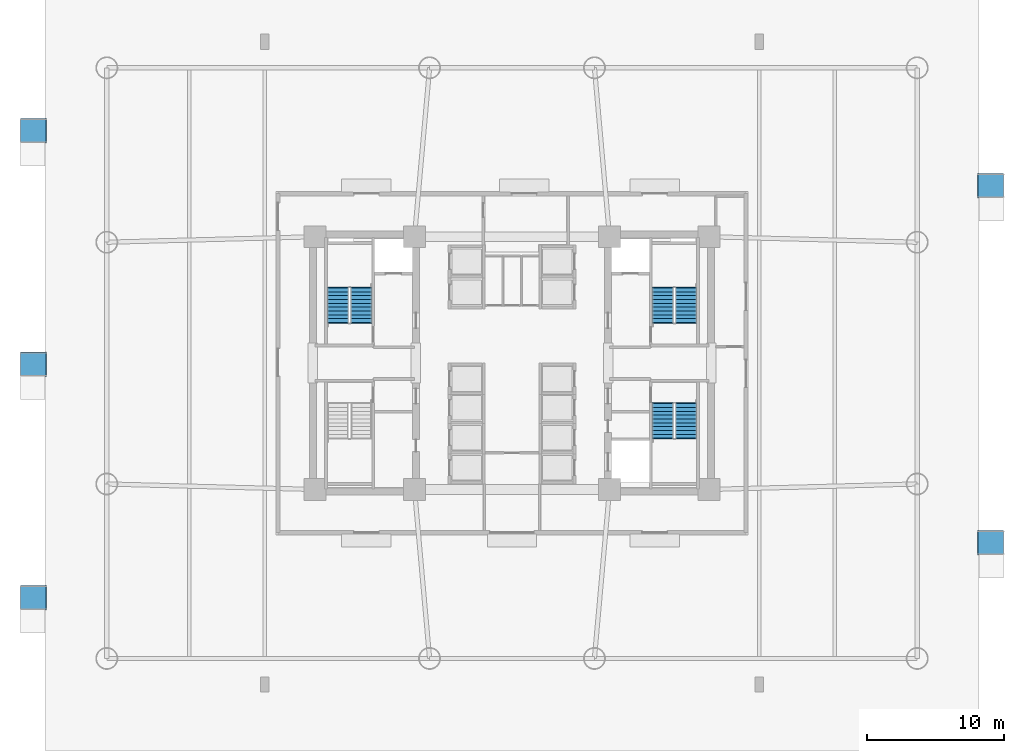
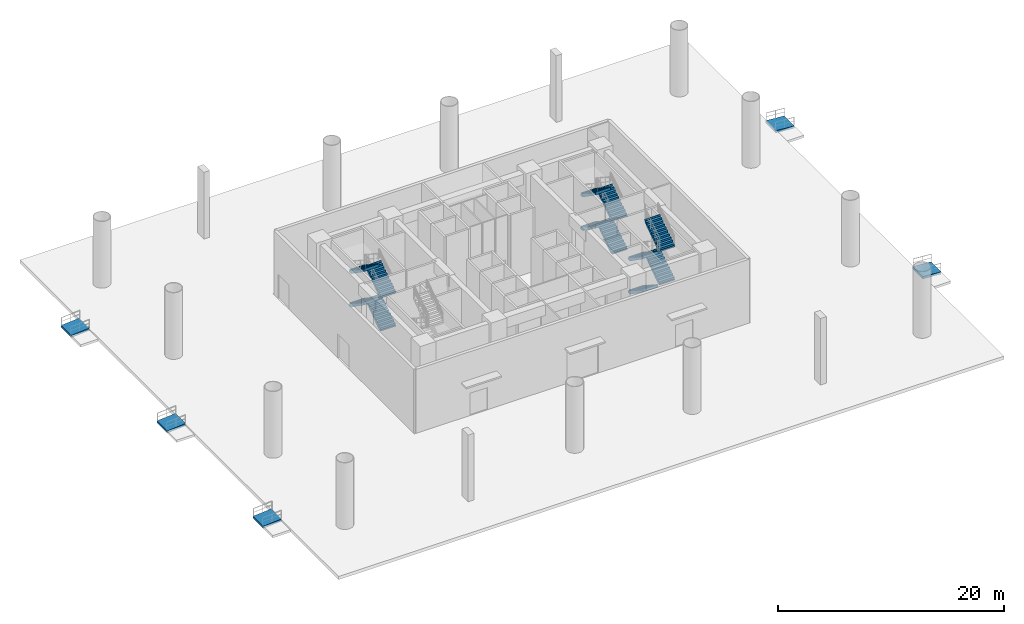
# One storey, part 6 of 10: 12 stair flights, 5 ramp flights, 8 elements without a shape of their own.
"""IFC4 building model written with IfcOpenShell, lengths in metres."""

from ifc_helpers import new_model, si_unit, direction, frame, origin, place, context, subcontext, project, spatial, polyline, outline, extrude, material, layer, layer_set, type_object, element, aggregate, save


model = new_model("IFC4")

# Units and contexts
model_context = context("Model", 3, precision=1e-05, world=origin(), true_north=direction((0.0, 1.0)))
body_context = subcontext(model_context, "Body", "Model", "MODEL_VIEW")
ifc_project = project(units=[si_unit("LENGTHUNIT", "METRE"), si_unit("AREAUNIT", "SQUARE_METRE"), si_unit("VOLUMEUNIT", "CUBIC_METRE"), si_unit("PLANEANGLEUNIT", "RADIAN"), si_unit("MASSUNIT", "GRAM", prefix="KILO")], contexts=[model_context])

# Site, building, storey
site_placement = place(None, origin())
site = spatial("IfcSite", under=ifc_project, at=site_placement, CompositionType="ELEMENT")
building_placement = place(site_placement, origin())
building = spatial("IfcBuilding", under=site, at=building_placement, Name="Zahravan Cultural Tower", CompositionType="ELEMENT")
storey_placement = place(building_placement, origin())
storey = spatial("IfcBuildingStorey", under=building, at=storey_placement, Name="L00", CompositionType="ELEMENT", Elevation=0.0)

# Stair, stair flights
ifc_material = material(Name="Concrete C45/55", Category="concrete")
stair_type = type_object("IfcStairType", Name="STR-DL-1550-720", PredefinedType="HALF_TURN_STAIR", material=ifc_material)
stair_1_placement = place(storey_placement, origin())
stair_1 = element("IfcStair", 1, at=stair_1_placement, inside=storey, type_object=stair_type, Name="L00 West Core North Exit Stair ST-W1", PredefinedType="HALF_TURN_STAIR")
stair_flight_type = type_object("IfcStairFlightType", Name="FLG-DL-1550-720", PredefinedType="STRAIGHT", material=ifc_material)
stair_flight_1_placement = place(storey_placement, frame((25.02490234375, 29.949951171875, 0.0), z_axis=(0.0, 0.0, 1.0), x_axis=(0.0, 1.0, 0.0)))
stair_flight_1 = element("IfcStairFlight", 2, at=stair_flight_1_placement, type_object=stair_flight_type, Name="ST-W1 flight 1", NumberOfRisers=10, NumberOfTreads=9, PredefinedType="STRAIGHT", RiserHeight=0.18, TreadLength=0.28, context=body_context, shape_type="SweptSolid", body=[
    extrude(outline(polyline([(-0.06494140625, -0.139892578125), (-0.06494140625, 0.0), (0.0, 0.0), (0.0, 0.179931640625), (0.280029296875, 0.179931640625), (0.280029296875, 0.360107421875), (0.56005859375, 0.360107421875), (0.56005859375, 0.5400390625), (0.840087890625, 0.5400390625), (0.840087890625, 0.719970703125), (1.1201171875, 0.719970703125), (1.1201171875, 0.89990234375), (1.39990234375, 0.89990234375), (1.39990234375, 1.080078125), (1.679931640625, 1.080078125), (1.679931640625, 1.260009765625), (1.9599609375, 1.260009765625), (1.9599609375, 1.43994140625), (2.239990234375, 1.43994140625), (2.239990234375, 1.6201171875), (2.52001953125, 1.6201171875), (2.52001953125, 1.800048828125), (2.5849609375, 1.800048828125), (2.5849609375, 1.650146484375), (2.52001953125, 1.44189453125), (0.277099609375, -0.139892578125), (-0.06494140625, -0.139892578125)])), frame((0.0, 0.77490234375, 0.0), z_axis=(0.0, -1.0, 0.0), x_axis=(1.0, 0.0, 0.0)), (0.0, 0.0, 1.0), 1.550048828125),
])
stair_flight_2_placement = place(storey_placement, frame((23.324951171875, 32.469970703125, 1.800048828125), z_axis=(0.0, 0.0, 1.0), x_axis=(0.0, -1.0, 0.0)))
stair_flight_2 = element("IfcStairFlight", 3, at=stair_flight_2_placement, type_object=stair_flight_type, Name="ST-W1 flight 2", NumberOfRisers=10, NumberOfTreads=9, PredefinedType="STRAIGHT", RiserHeight=0.18, TreadLength=0.28, context=body_context, shape_type="SweptSolid", body=[
    extrude(outline(polyline([(-0.06494140625, -0.139892578125), (-0.06494140625, 0.0), (0.0, 0.0), (0.0, 0.179931640625), (0.280029296875, 0.179931640625), (0.280029296875, 0.360107421875), (0.56005859375, 0.360107421875), (0.56005859375, 0.5400390625), (0.840087890625, 0.5400390625), (0.840087890625, 0.719970703125), (1.1201171875, 0.719970703125), (1.1201171875, 0.89990234375), (1.39990234375, 0.89990234375), (1.39990234375, 1.080078125), (1.679931640625, 1.080078125), (1.679931640625, 1.260009765625), (1.9599609375, 1.260009765625), (1.9599609375, 1.43994140625), (2.239990234375, 1.43994140625), (2.239990234375, 1.6201171875), (2.52001953125, 1.6201171875), (2.52001953125, 1.800048828125), (2.5849609375, 1.800048828125), (2.5849609375, 1.650146484375), (2.52001953125, 1.44189453125), (0.277099609375, -0.139892578125), (-0.06494140625, -0.139892578125)])), frame((0.0, 0.77490234375, 0.0), z_axis=(0.0, -1.0, 0.0), x_axis=(1.0, 0.0, 0.0)), (0.0, 0.0, 1.0), 1.550048828125),
])
stair_flight_3_placement = place(storey_placement, frame((25.02490234375, 29.949951171875, 3.60009765625), z_axis=(0.0, 0.0, 1.0), x_axis=(0.0, 1.0, 0.0)))
stair_flight_3 = element("IfcStairFlight", 4, at=stair_flight_3_placement, type_object=stair_flight_type, Name="ST-W1 flight 3", NumberOfRisers=10, NumberOfTreads=9, PredefinedType="STRAIGHT", RiserHeight=0.18, TreadLength=0.28, context=body_context, shape_type="SweptSolid", body=[
    extrude(outline(polyline([(-0.06494140625, -0.139892578125), (-0.06494140625, 0.0), (0.0, 0.0), (0.0, 0.179931640625), (0.280029296875, 0.179931640625), (0.280029296875, 0.360107421875), (0.56005859375, 0.360107421875), (0.56005859375, 0.5400390625), (0.840087890625, 0.5400390625), (0.840087890625, 0.719970703125), (1.1201171875, 0.719970703125), (1.1201171875, 0.89990234375), (1.39990234375, 0.89990234375), (1.39990234375, 1.080078125), (1.679931640625, 1.080078125), (1.679931640625, 1.260009765625), (1.9599609375, 1.260009765625), (1.9599609375, 1.43994140625), (2.239990234375, 1.43994140625), (2.239990234375, 1.6201171875), (2.52001953125, 1.6201171875), (2.52001953125, 1.800048828125), (2.5849609375, 1.800048828125), (2.5849609375, 1.650146484375), (2.52001953125, 1.44189453125), (0.277099609375, -0.139892578125), (-0.06494140625, -0.139892578125)])), frame((0.0, 0.77490234375, 0.0), z_axis=(0.0, -1.0, 0.0), x_axis=(1.0, 0.0, 0.0)), (0.0, 0.0, 1.0), 1.550048828125),
])
stair_flight_4_placement = place(storey_placement, frame((23.324951171875, 32.469970703125, 5.39990234375), z_axis=(0.0, 0.0, 1.0), x_axis=(0.0, -1.0, 0.0)))
stair_flight_4 = element("IfcStairFlight", 5, at=stair_flight_4_placement, type_object=stair_flight_type, Name="ST-W1 flight 4", NumberOfRisers=10, NumberOfTreads=9, PredefinedType="STRAIGHT", RiserHeight=0.18, TreadLength=0.28, context=body_context, shape_type="SweptSolid", body=[
    extrude(outline(polyline([(-0.06494140625, -0.139892578125), (-0.06494140625, 0.0), (0.0, 0.0), (0.0, 0.179931640625), (0.280029296875, 0.179931640625), (0.280029296875, 0.360107421875), (0.56005859375, 0.360107421875), (0.56005859375, 0.5400390625), (0.840087890625, 0.5400390625), (0.840087890625, 0.719970703125), (1.1201171875, 0.719970703125), (1.1201171875, 0.89990234375), (1.39990234375, 0.89990234375), (1.39990234375, 1.080078125), (1.679931640625, 1.080078125), (1.679931640625, 1.260009765625), (1.9599609375, 1.260009765625), (1.9599609375, 1.43994140625), (2.239990234375, 1.43994140625), (2.239990234375, 1.6201171875), (2.52001953125, 1.6201171875), (2.52001953125, 1.800048828125), (2.5849609375, 1.800048828125), (2.5849609375, 1.650146484375), (2.52001953125, 1.44189453125), (0.277099609375, -0.139892578125), (-0.06494140625, -0.139892578125)])), frame((0.0, 0.77490234375, 0.0), z_axis=(0.0, -1.0, 0.0), x_axis=(1.0, 0.0, 0.0)), (0.0, 0.0, 1.0), 1.550048828125),
])
aggregate(stair_1, [stair_flight_1, stair_flight_2, stair_flight_3, stair_flight_4])

stair_2_placement = place(storey_placement, origin())
stair_2 = element("IfcStair", 6, at=stair_2_placement, inside=storey, type_object=stair_type, Name="L00 East Core North Exit Stair ST-E1", PredefinedType="HALF_TURN_STAIR")
stair_flight_5_placement = place(storey_placement, frame((48.675048828125, 29.949951171875, 0.0), z_axis=(0.0, 0.0, 1.0), x_axis=(0.0, 1.0, 0.0)))
stair_flight_5 = element("IfcStairFlight", 7, at=stair_flight_5_placement, type_object=stair_flight_type, Name="ST-E1 flight 1", NumberOfRisers=10, NumberOfTreads=9, PredefinedType="STRAIGHT", RiserHeight=0.18, TreadLength=0.28, context=body_context, shape_type="SweptSolid", body=[
    extrude(outline(polyline([(-0.06494140625, -0.139892578125), (-0.06494140625, 0.0), (0.0, 0.0), (0.0, 0.179931640625), (0.280029296875, 0.179931640625), (0.280029296875, 0.360107421875), (0.56005859375, 0.360107421875), (0.56005859375, 0.5400390625), (0.840087890625, 0.5400390625), (0.840087890625, 0.719970703125), (1.1201171875, 0.719970703125), (1.1201171875, 0.89990234375), (1.39990234375, 0.89990234375), (1.39990234375, 1.080078125), (1.679931640625, 1.080078125), (1.679931640625, 1.260009765625), (1.9599609375, 1.260009765625), (1.9599609375, 1.43994140625), (2.239990234375, 1.43994140625), (2.239990234375, 1.6201171875), (2.52001953125, 1.6201171875), (2.52001953125, 1.800048828125), (2.5849609375, 1.800048828125), (2.5849609375, 1.650146484375), (2.52001953125, 1.44189453125), (0.277099609375, -0.139892578125), (-0.06494140625, -0.139892578125)])), frame((0.0, 0.77490234375, 0.0), z_axis=(0.0, -1.0, 0.0), x_axis=(1.0, 0.0, 0.0)), (0.0, 0.0, 1.0), 1.550048828125),
])
stair_flight_6_placement = place(storey_placement, frame((46.97509765625, 32.469970703125, 1.800048828125), z_axis=(0.0, 0.0, 1.0), x_axis=(0.0, -1.0, 0.0)))
stair_flight_6 = element("IfcStairFlight", 8, at=stair_flight_6_placement, type_object=stair_flight_type, Name="ST-E1 flight 2", NumberOfRisers=10, NumberOfTreads=9, PredefinedType="STRAIGHT", RiserHeight=0.18, TreadLength=0.28, context=body_context, shape_type="SweptSolid", body=[
    extrude(outline(polyline([(-0.06494140625, -0.139892578125), (-0.06494140625, 0.0), (0.0, 0.0), (0.0, 0.179931640625), (0.280029296875, 0.179931640625), (0.280029296875, 0.360107421875), (0.56005859375, 0.360107421875), (0.56005859375, 0.5400390625), (0.840087890625, 0.5400390625), (0.840087890625, 0.719970703125), (1.1201171875, 0.719970703125), (1.1201171875, 0.89990234375), (1.39990234375, 0.89990234375), (1.39990234375, 1.080078125), (1.679931640625, 1.080078125), (1.679931640625, 1.260009765625), (1.9599609375, 1.260009765625), (1.9599609375, 1.43994140625), (2.239990234375, 1.43994140625), (2.239990234375, 1.6201171875), (2.52001953125, 1.6201171875), (2.52001953125, 1.800048828125), (2.5849609375, 1.800048828125), (2.5849609375, 1.650146484375), (2.52001953125, 1.44189453125), (0.277099609375, -0.139892578125), (-0.06494140625, -0.139892578125)])), frame((0.0, 0.77490234375, 0.0), z_axis=(0.0, -1.0, 0.0), x_axis=(1.0, 0.0, 0.0)), (0.0, 0.0, 1.0), 1.550048828125),
])
stair_flight_7_placement = place(storey_placement, frame((48.675048828125, 29.949951171875, 3.60009765625), z_axis=(0.0, 0.0, 1.0), x_axis=(0.0, 1.0, 0.0)))
stair_flight_7 = element("IfcStairFlight", 9, at=stair_flight_7_placement, type_object=stair_flight_type, Name="ST-E1 flight 3", NumberOfRisers=10, NumberOfTreads=9, PredefinedType="STRAIGHT", RiserHeight=0.18, TreadLength=0.28, context=body_context, shape_type="SweptSolid", body=[
    extrude(outline(polyline([(-0.06494140625, -0.139892578125), (-0.06494140625, 0.0), (0.0, 0.0), (0.0, 0.179931640625), (0.280029296875, 0.179931640625), (0.280029296875, 0.360107421875), (0.56005859375, 0.360107421875), (0.56005859375, 0.5400390625), (0.840087890625, 0.5400390625), (0.840087890625, 0.719970703125), (1.1201171875, 0.719970703125), (1.1201171875, 0.89990234375), (1.39990234375, 0.89990234375), (1.39990234375, 1.080078125), (1.679931640625, 1.080078125), (1.679931640625, 1.260009765625), (1.9599609375, 1.260009765625), (1.9599609375, 1.43994140625), (2.239990234375, 1.43994140625), (2.239990234375, 1.6201171875), (2.52001953125, 1.6201171875), (2.52001953125, 1.800048828125), (2.5849609375, 1.800048828125), (2.5849609375, 1.650146484375), (2.52001953125, 1.44189453125), (0.277099609375, -0.139892578125), (-0.06494140625, -0.139892578125)])), frame((0.0, 0.77490234375, 0.0), z_axis=(0.0, -1.0, 0.0), x_axis=(1.0, 0.0, 0.0)), (0.0, 0.0, 1.0), 1.550048828125),
])
stair_flight_8_placement = place(storey_placement, frame((46.97509765625, 32.469970703125, 5.39990234375), z_axis=(0.0, 0.0, 1.0), x_axis=(0.0, -1.0, 0.0)))
stair_flight_8 = element("IfcStairFlight", 10, at=stair_flight_8_placement, type_object=stair_flight_type, Name="ST-E1 flight 4", NumberOfRisers=10, NumberOfTreads=9, PredefinedType="STRAIGHT", RiserHeight=0.18, TreadLength=0.28, context=body_context, shape_type="SweptSolid", body=[
    extrude(outline(polyline([(-0.06494140625, -0.139892578125), (-0.06494140625, 0.0), (0.0, 0.0), (0.0, 0.179931640625), (0.280029296875, 0.179931640625), (0.280029296875, 0.360107421875), (0.56005859375, 0.360107421875), (0.56005859375, 0.5400390625), (0.840087890625, 0.5400390625), (0.840087890625, 0.719970703125), (1.1201171875, 0.719970703125), (1.1201171875, 0.89990234375), (1.39990234375, 0.89990234375), (1.39990234375, 1.080078125), (1.679931640625, 1.080078125), (1.679931640625, 1.260009765625), (1.9599609375, 1.260009765625), (1.9599609375, 1.43994140625), (2.239990234375, 1.43994140625), (2.239990234375, 1.6201171875), (2.52001953125, 1.6201171875), (2.52001953125, 1.800048828125), (2.5849609375, 1.800048828125), (2.5849609375, 1.650146484375), (2.52001953125, 1.44189453125), (0.277099609375, -0.139892578125), (-0.06494140625, -0.139892578125)])), frame((0.0, 0.77490234375, 0.0), z_axis=(0.0, -1.0, 0.0), x_axis=(1.0, 0.0, 0.0)), (0.0, 0.0, 1.0), 1.550048828125),
])
aggregate(stair_2, [stair_flight_5, stair_flight_6, stair_flight_7, stair_flight_8])

stair_3_placement = place(storey_placement, origin())
stair_3 = element("IfcStair", 11, at=stair_3_placement, inside=storey, type_object=stair_type, Name="L00 East Core South Exit Stair ST-E2", PredefinedType="HALF_TURN_STAIR")
stair_flight_9_placement = place(storey_placement, frame((46.97509765625, 24.050048828125, 0.0), z_axis=(0.0, 0.0, 1.0), x_axis=(0.0, -1.0, 0.0)))
stair_flight_9 = element("IfcStairFlight", 12, at=stair_flight_9_placement, type_object=stair_flight_type, Name="ST-E2 flight 1", NumberOfRisers=10, NumberOfTreads=9, PredefinedType="STRAIGHT", RiserHeight=0.18, TreadLength=0.28, context=body_context, shape_type="SweptSolid", body=[
    extrude(outline(polyline([(-0.06494140625, -0.139892578125), (-0.06494140625, 0.0), (0.0, 0.0), (0.0, 0.179931640625), (0.280029296875, 0.179931640625), (0.280029296875, 0.360107421875), (0.56005859375, 0.360107421875), (0.56005859375, 0.5400390625), (0.840087890625, 0.5400390625), (0.840087890625, 0.719970703125), (1.1201171875, 0.719970703125), (1.1201171875, 0.89990234375), (1.39990234375, 0.89990234375), (1.39990234375, 1.080078125), (1.679931640625, 1.080078125), (1.679931640625, 1.260009765625), (1.9599609375, 1.260009765625), (1.9599609375, 1.43994140625), (2.239990234375, 1.43994140625), (2.239990234375, 1.6201171875), (2.52001953125, 1.6201171875), (2.52001953125, 1.800048828125), (2.5849609375, 1.800048828125), (2.5849609375, 1.650146484375), (2.52001953125, 1.44189453125), (0.277099609375, -0.139892578125), (-0.06494140625, -0.139892578125)])), frame((0.0, 0.77490234375, 0.0), z_axis=(0.0, -1.0, 0.0), x_axis=(1.0, 0.0, 0.0)), (0.0, 0.0, 1.0), 1.550048828125),
])
stair_flight_10_placement = place(storey_placement, frame((48.675048828125, 21.530029296875, 1.800048828125), z_axis=(0.0, 0.0, 1.0), x_axis=(0.0, 1.0, 0.0)))
stair_flight_10 = element("IfcStairFlight", 13, at=stair_flight_10_placement, type_object=stair_flight_type, Name="ST-E2 flight 2", NumberOfRisers=10, NumberOfTreads=9, PredefinedType="STRAIGHT", RiserHeight=0.18, TreadLength=0.28, context=body_context, shape_type="SweptSolid", body=[
    extrude(outline(polyline([(-0.06494140625, -0.139892578125), (-0.06494140625, 0.0), (0.0, 0.0), (0.0, 0.179931640625), (0.280029296875, 0.179931640625), (0.280029296875, 0.360107421875), (0.56005859375, 0.360107421875), (0.56005859375, 0.5400390625), (0.840087890625, 0.5400390625), (0.840087890625, 0.719970703125), (1.1201171875, 0.719970703125), (1.1201171875, 0.89990234375), (1.39990234375, 0.89990234375), (1.39990234375, 1.080078125), (1.679931640625, 1.080078125), (1.679931640625, 1.260009765625), (1.9599609375, 1.260009765625), (1.9599609375, 1.43994140625), (2.239990234375, 1.43994140625), (2.239990234375, 1.6201171875), (2.52001953125, 1.6201171875), (2.52001953125, 1.800048828125), (2.5849609375, 1.800048828125), (2.5849609375, 1.650146484375), (2.52001953125, 1.44189453125), (0.277099609375, -0.139892578125), (-0.06494140625, -0.139892578125)])), frame((0.0, 0.77490234375, 0.0), z_axis=(0.0, -1.0, 0.0), x_axis=(1.0, 0.0, 0.0)), (0.0, 0.0, 1.0), 1.550048828125),
])
stair_flight_11_placement = place(storey_placement, frame((46.97509765625, 24.050048828125, 3.60009765625), z_axis=(0.0, 0.0, 1.0), x_axis=(0.0, -1.0, 0.0)))
stair_flight_11 = element("IfcStairFlight", 14, at=stair_flight_11_placement, type_object=stair_flight_type, Name="ST-E2 flight 3", NumberOfRisers=10, NumberOfTreads=9, PredefinedType="STRAIGHT", RiserHeight=0.18, TreadLength=0.28, context=body_context, shape_type="SweptSolid", body=[
    extrude(outline(polyline([(-0.06494140625, -0.139892578125), (-0.06494140625, 0.0), (0.0, 0.0), (0.0, 0.179931640625), (0.280029296875, 0.179931640625), (0.280029296875, 0.360107421875), (0.56005859375, 0.360107421875), (0.56005859375, 0.5400390625), (0.840087890625, 0.5400390625), (0.840087890625, 0.719970703125), (1.1201171875, 0.719970703125), (1.1201171875, 0.89990234375), (1.39990234375, 0.89990234375), (1.39990234375, 1.080078125), (1.679931640625, 1.080078125), (1.679931640625, 1.260009765625), (1.9599609375, 1.260009765625), (1.9599609375, 1.43994140625), (2.239990234375, 1.43994140625), (2.239990234375, 1.6201171875), (2.52001953125, 1.6201171875), (2.52001953125, 1.800048828125), (2.5849609375, 1.800048828125), (2.5849609375, 1.650146484375), (2.52001953125, 1.44189453125), (0.277099609375, -0.139892578125), (-0.06494140625, -0.139892578125)])), frame((0.0, 0.77490234375, 0.0), z_axis=(0.0, -1.0, 0.0), x_axis=(1.0, 0.0, 0.0)), (0.0, 0.0, 1.0), 1.550048828125),
])
stair_flight_12_placement = place(storey_placement, frame((48.675048828125, 21.530029296875, 5.39990234375), z_axis=(0.0, 0.0, 1.0), x_axis=(0.0, 1.0, 0.0)))
stair_flight_12 = element("IfcStairFlight", 15, at=stair_flight_12_placement, type_object=stair_flight_type, Name="ST-E2 flight 4", NumberOfRisers=10, NumberOfTreads=9, PredefinedType="STRAIGHT", RiserHeight=0.18, TreadLength=0.28, context=body_context, shape_type="SweptSolid", body=[
    extrude(outline(polyline([(-0.06494140625, -0.139892578125), (-0.06494140625, 0.0), (0.0, 0.0), (0.0, 0.179931640625), (0.280029296875, 0.179931640625), (0.280029296875, 0.360107421875), (0.56005859375, 0.360107421875), (0.56005859375, 0.5400390625), (0.840087890625, 0.5400390625), (0.840087890625, 0.719970703125), (1.1201171875, 0.719970703125), (1.1201171875, 0.89990234375), (1.39990234375, 0.89990234375), (1.39990234375, 1.080078125), (1.679931640625, 1.080078125), (1.679931640625, 1.260009765625), (1.9599609375, 1.260009765625), (1.9599609375, 1.43994140625), (2.239990234375, 1.43994140625), (2.239990234375, 1.6201171875), (2.52001953125, 1.6201171875), (2.52001953125, 1.800048828125), (2.5849609375, 1.800048828125), (2.5849609375, 1.650146484375), (2.52001953125, 1.44189453125), (0.277099609375, -0.139892578125), (-0.06494140625, -0.139892578125)])), frame((0.0, 0.77490234375, 0.0), z_axis=(0.0, -1.0, 0.0), x_axis=(1.0, 0.0, 0.0)), (0.0, 0.0, 1.0), 1.550048828125),
])
aggregate(stair_3, [stair_flight_9, stair_flight_10, stair_flight_11, stair_flight_12])

# Ramp, ramp flight
ramp_type = type_object("IfcRampType", Name="RMP-ACCESS-1800", PredefinedType="STRAIGHT_RUN_RAMP", material=ifc_material)
ramp_1_placement = place(storey_placement, origin())
ramp_1 = element("IfcRamp", 16, at=ramp_1_placement, inside=storey, type_object=ramp_type, Name="L00 Accessible Boulevard Ramp RMP-01", PredefinedType="STRAIGHT_RUN_RAMP")
ifc_layer = layer(ifc_material, 0.25)
ifc_layer_set = layer_set([ifc_layer], Name="Concrete C45/55")
ramp_flight_type = type_object("IfcRampFlightType", Name="RMPF-ACCESS-1800", PredefinedType="STRAIGHT", material=ifc_layer_set)
ramp_flight_1_placement = place(storey_placement, frame((0.199951171875, 9.02001953125, -0.139892578125), z_axis=(-0.074200808024, 0.0, 0.997243320403), x_axis=(0.0, 1.0, 0.0)))
ramp_flight_1 = element("IfcRampFlight", 17, at=ramp_flight_1_placement, type_object=ramp_flight_type, Name="RMP-01 Accessible Ramp Flight", PredefinedType="STRAIGHT", context=body_context, shape_type="SweptSolid", body=[
    extrude(outline(polyline([(0.0, 0.0), (1.800048828125, 0.0), (1.800048828125, -1.8853241878471603), (0.0, -1.8853241878471603), (0.0, 0.0)])), origin(), (0.0, 0.0, -1.0), 0.25),
])
aggregate(ramp_1, [ramp_flight_1])

ramp_2_placement = place(storey_placement, origin())
ramp_2 = element("IfcRamp", 18, at=ramp_2_placement, inside=storey, type_object=ramp_type, Name="L00 Accessible Boulevard Ramp RMP-02", PredefinedType="STRAIGHT_RUN_RAMP")
ramp_flight_2_placement = place(storey_placement, frame((0.199951171875, 26.02001953125, -0.139892578125), z_axis=(-0.074200808024, 0.0, 0.997243320403), x_axis=(0.0, 1.0, 0.0)))
ramp_flight_2 = element("IfcRampFlight", 19, at=ramp_flight_2_placement, type_object=ramp_flight_type, Name="RMP-02 Accessible Ramp Flight", PredefinedType="STRAIGHT", context=body_context, shape_type="SweptSolid", body=[
    extrude(outline(polyline([(0.0, 0.0), (1.800048828125, 0.0), (1.800048828125, -1.8853241878471603), (0.0, -1.8853241878471603), (0.0, 0.0)])), origin(), (0.0, 0.0, -1.0), 0.25),
])
aggregate(ramp_2, [ramp_flight_2])

ramp_3_placement = place(storey_placement, origin())
ramp_3 = element("IfcRamp", 20, at=ramp_3_placement, inside=storey, type_object=ramp_type, Name="L00 Accessible Boulevard Ramp RMP-03", PredefinedType="STRAIGHT_RUN_RAMP")
ramp_flight_3_placement = place(storey_placement, frame((0.199951171875, 43.02001953125, -0.139892578125), z_axis=(-0.074200808024, 0.0, 0.997243320403), x_axis=(0.0, 1.0, 0.0)))
ramp_flight_3 = element("IfcRampFlight", 21, at=ramp_flight_3_placement, type_object=ramp_flight_type, Name="RMP-03 Accessible Ramp Flight", PredefinedType="STRAIGHT", context=body_context, shape_type="SweptSolid", body=[
    extrude(outline(polyline([(0.0, 0.0), (1.800048828125, 0.0), (1.800048828125, -1.8853241878471603), (0.0, -1.8853241878471603), (0.0, 0.0)])), origin(), (0.0, 0.0, -1.0), 0.25),
])
aggregate(ramp_3, [ramp_flight_3])

ramp_4_placement = place(storey_placement, origin())
ramp_4 = element("IfcRamp", 22, at=ramp_4_placement, inside=storey, type_object=ramp_type, Name="L00 Accessible Boulevard Ramp RMP-04", PredefinedType="STRAIGHT_RUN_RAMP")
ramp_flight_4_placement = place(storey_placement, frame((71.800048828125, 14.820068359375, -0.139892578125), z_axis=(0.074200808024, 0.0, 0.997243320403), x_axis=(0.0, -1.0, 0.0)))
ramp_flight_4 = element("IfcRampFlight", 23, at=ramp_flight_4_placement, type_object=ramp_flight_type, Name="RMP-04 Accessible Ramp Flight", PredefinedType="STRAIGHT", context=body_context, shape_type="SweptSolid", body=[
    extrude(outline(polyline([(0.0, 0.0), (1.800048828125, 0.0), (1.800048828125, -1.8853241878471603), (0.0, -1.8853241878471603), (0.0, 0.0)])), origin(), (0.0, 0.0, -1.0), 0.25),
])
aggregate(ramp_4, [ramp_flight_4])

ramp_5_placement = place(storey_placement, origin())
ramp_5 = element("IfcRamp", 24, at=ramp_5_placement, inside=storey, type_object=ramp_type, Name="L00 Accessible Boulevard Ramp RMP-05", PredefinedType="STRAIGHT_RUN_RAMP")
ramp_flight_5_placement = place(storey_placement, frame((71.800048828125, 40.820068359375, -0.139892578125), z_axis=(0.074200808024, 0.0, 0.997243320403), x_axis=(0.0, -1.0, 0.0)))
ramp_flight_5 = element("IfcRampFlight", 25, at=ramp_flight_5_placement, type_object=ramp_flight_type, Name="RMP-05 Accessible Ramp Flight", PredefinedType="STRAIGHT", context=body_context, shape_type="SweptSolid", body=[
    extrude(outline(polyline([(0.0, 0.0), (1.800048828125, 0.0), (1.800048828125, -1.8853241878471603), (0.0, -1.8853241878471603), (0.0, 0.0)])), origin(), (0.0, 0.0, -1.0), 0.25),
])
aggregate(ramp_5, [ramp_flight_5])

save(model, "model.ifc")
